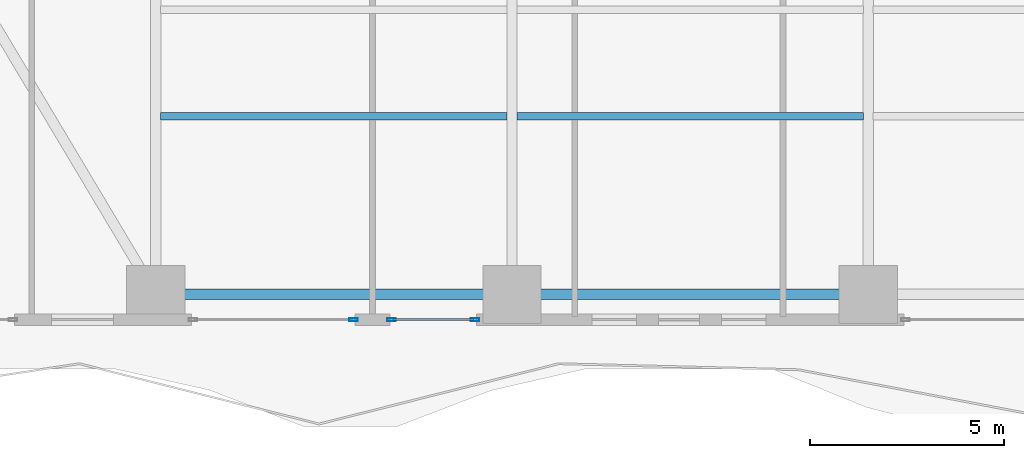
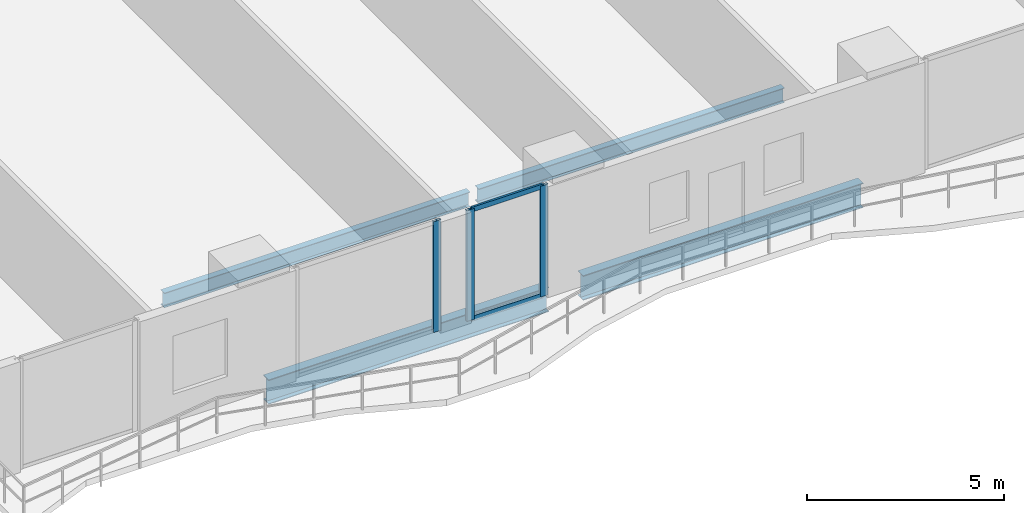
# One storey, part 4 of 29: 5 members, 4 beams, 2 elements without a shape of their own.
"""IFC4 building model written with IfcOpenShell, lengths in metres."""

import ifcopenshell
import ifcopenshell.guid

model = None  # the IFC model being written
_history = None  # IfcOwnerHistory: only IFC2X3 demands one
_inside = {}  # id of a spatial element -> (the spatial element, [elements in it])
_under = {}  # id of a project, library or spatial element -> (it, [spatial elements below it])
_declared = {}  # id of a project -> (the project, [libraries it declares])
_typed = {}  # id of a type object -> (the type object, [elements of that type])
_made_of = {}  # id of a material, layer set ... -> (it, [elements and type objects made of it])


def new_model(schema):
    """Start an empty IFC model of exactly this schema.

    Asked for "IFC4X3", IfcOpenShell would pick the latest addendum, in which some entities
    have other attributes; the version numbers below select the first issue.
    IFC2X3 requires an IfcOwnerHistory on every rooted entity: one is made here for all.
    """
    global model, _history
    if schema == "IFC4X3":
        model = ifcopenshell.file(schema_version=(4, 3, 0, 0))
    else:
        model = ifcopenshell.file(schema=schema)
    _inside.clear()
    _under.clear()
    _declared.clear()
    _typed.clear()
    _made_of.clear()
    _history = None
    if model.schema == "IFC2X3":
        org = make("IfcOrganization", Name="unknown")
        user = make(
            "IfcPersonAndOrganization",
            ThePerson=make("IfcPerson", FamilyName="unknown"),
            TheOrganization=org,
        )
        app = make(
            "IfcApplication",
            ApplicationDeveloper=org,
            Version="unknown",
            ApplicationFullName="unknown",
            ApplicationIdentifier="unknown",
        )
        _history = make(
            "IfcOwnerHistory",
            OwningUser=user,
            OwningApplication=app,
            ChangeAction="ADDED",
            CreationDate=0,
        )
    return model


def make(cls, **values):
    """One entity of the class cls with the attributes given. An attribute that is None is left unset."""
    return model.create_entity(
        cls, **{name: value for name, value in values.items() if value is not None}
    )


def rooted(cls, **values):
    """An entity with a GlobalId (a new one), such as an element, a storey or a relation."""
    return make(cls, GlobalId=ifcopenshell.guid.new(), OwnerHistory=_history, **values)


def si_unit(unit_type, name, prefix=None):
    """IfcSIUnit, for example si_unit("LENGTHUNIT", "METRE", prefix="MILLI")."""
    return make("IfcSIUnit", UnitType=unit_type, Prefix=prefix, Name=name)


def assignment(units):
    """IfcUnitAssignment: the units of a project."""
    return None if units is None else make("IfcUnitAssignment", Units=units)


def point(xyz):
    """IfcCartesianPoint."""
    return None if xyz is None else make("IfcCartesianPoint", Coordinates=xyz)


def direction(xyz):
    """IfcDirection."""
    return None if xyz is None else make("IfcDirection", DirectionRatios=xyz)


def frame(location, z_axis=None, x_axis=None):
    """IfcAxis2Placement3D, a coordinate frame: its origin and axes. An axis left out is left unset."""
    return make(
        "IfcAxis2Placement3D",
        Location=point(location),
        Axis=direction(z_axis),
        RefDirection=direction(x_axis),
    )


def frame_2d(location, x_axis=None):
    """IfcAxis2Placement2D, a coordinate frame in the plane: its origin and x axis."""
    return make(
        "IfcAxis2Placement2D", Location=point(location), RefDirection=direction(x_axis)
    )


def origin():
    """The frame at (0, 0, 0) with its axes left unset."""
    return frame((0.0, 0.0, 0.0))


def origin_2d():
    """The frame at (0, 0) in the plane with its x axis left unset."""
    return frame_2d((0.0, 0.0))


def place(relative_to, where):
    """IfcLocalPlacement: puts the frame where relative to a parent placement (None: the world)."""
    return make(
        "IfcLocalPlacement", PlacementRelTo=relative_to, RelativePlacement=where
    )


def context(
    kind, dimensions, precision=None, world=None, true_north=None, identifier=None
):
    """IfcGeometricRepresentationContext, for example the 3D "Model" context."""
    return make(
        "IfcGeometricRepresentationContext",
        ContextIdentifier=identifier,
        ContextType=kind,
        CoordinateSpaceDimension=dimensions,
        Precision=precision,
        WorldCoordinateSystem=world,
        TrueNorth=true_north,
    )


def subcontext(parent, identifier, kind, view, scale=None):
    """IfcGeometricRepresentationSubContext, for example "Body" below "Model"."""
    return make(
        "IfcGeometricRepresentationSubContext",
        ContextIdentifier=identifier,
        ContextType=kind,
        ParentContext=parent,
        TargetScale=scale,
        TargetView=view,
    )


def project(units=None, contexts=None):
    """IfcProject with its units and contexts."""
    return rooted(
        "IfcProject",
        Name="project",
        RepresentationContexts=contexts,
        UnitsInContext=assignment(units),
    )


def spatial(cls, under=None, at=None, **own):
    """A site, building, storey or space (cls), placed at a placement, below another one or the project."""
    s = rooted(cls, ObjectPlacement=at, **own)
    if under is not None:
        _under.setdefault(under.id(), (under, []))[1].append(s)
    return s


def profile(cls, at=None, kind="AREA", **sizes):
    """A parametric profile (cls). Its sizes go by their IFC names, for example OverallWidth=200.0."""
    return make(cls, ProfileType=kind, Position=at, **sizes)


def hollow_rectangle(**sizes):
    """IfcRectangleHollowProfileDef."""
    return profile("IfcRectangleHollowProfileDef", **sizes)


def i_section(**sizes):
    """IfcIShapeProfileDef."""
    return profile("IfcIShapeProfileDef", **sizes)


def extrude(swept, where, along, depth):
    """IfcExtrudedAreaSolid: the profile swept, set in the frame where, extruded along a direction by depth."""
    return make(
        "IfcExtrudedAreaSolid",
        SweptArea=swept,
        Position=where,
        ExtrudedDirection=direction(along),
        Depth=depth,
    )


def shape(context_of_items, identifier, shape_type, items):
    """IfcShapeRepresentation: the items that make up one representation, for example the "Body"."""
    return make(
        "IfcShapeRepresentation",
        ContextOfItems=context_of_items,
        RepresentationIdentifier=identifier,
        RepresentationType=shape_type,
        Items=items,
    )


def material(Name=None, Category=None):
    """IfcMaterial."""
    return make("IfcMaterial", Name=Name, Category=Category)


def layer(
    of_material, thickness, ventilated=None, Name=None, Category=None, Priority=None
):
    """IfcMaterialLayer: one layer of a wall or slab, of a material (None: an air gap)."""
    return make(
        "IfcMaterialLayer",
        Material=of_material,
        LayerThickness=thickness,
        IsVentilated=ventilated,
        Name=Name,
        Category=Category,
        Priority=Priority,
    )


def layer_set(layers, Name=None):
    """IfcMaterialLayerSet."""
    return make("IfcMaterialLayerSet", MaterialLayers=layers, LayerSetName=Name)


def material_profile(
    of_material, cross_section, Name=None, Category=None, Priority=None
):
    """IfcMaterialProfile: a cross section and its material."""
    return make(
        "IfcMaterialProfile",
        Name=Name,
        Material=of_material,
        Profile=cross_section,
        Priority=Priority,
        Category=Category,
    )


def profile_set(profiles, Name=None, composite=None):
    """IfcMaterialProfileSet."""
    return make(
        "IfcMaterialProfileSet",
        Name=Name,
        MaterialProfiles=profiles,
        CompositeProfile=composite,
    )


def made_of(thing, what):
    """Note that an element or type object is made of a material, layer set ...; save() writes the relation."""
    if what is not None:
        _made_of.setdefault(what.id(), (what, []))[1].append(thing)
    return thing


def type_object(cls, material=None, **own):
    """A type object (cls), such as IfcWallType, which elements share."""
    return made_of(rooted(cls, **own), material)


def element(
    cls,
    number,
    at=None,
    inside=None,
    cuts=None,
    type_object=None,
    material=None,
    context=None,
    identifier="Body",
    shape_type=None,
    held_by="IfcProductDefinitionShape",
    body=None,
    shapes=None,
    **own,
):
    """One element of the class cls, such as IfcWall. Its Tag is "e" and its number.

    at: its placement. inside: the storey or other place that contains it. cuts: it is an
    opening in that element (IfcRelVoidsElement). A single representation is given by context,
    identifier, shape_type and body (its items); several are given by shapes. held_by: the class
    of the entity that holds the representations. save() writes the other relations.
    """
    e = rooted(cls, Tag="e%d" % number, ObjectPlacement=at, **own)
    if body is not None:
        shapes = [shape(context, identifier, shape_type, body)]
    if shapes is not None:
        e.Representation = make(held_by, Representations=shapes)
    if inside is not None:
        _inside.setdefault(inside.id(), (inside, []))[1].append(e)
    if cuts is not None:
        rooted(
            "IfcRelVoidsElement", RelatingBuildingElement=cuts, RelatedOpeningElement=e
        )
    if type_object is not None:
        _typed.setdefault(type_object.id(), (type_object, []))[1].append(e)
    return made_of(e, material)


def aggregate(whole, parts):
    """IfcRelAggregates: a whole, such as a stair, and the parts it consists of."""
    return rooted("IfcRelAggregates", RelatingObject=whole, RelatedObjects=parts)


def save(model, path):
    """Write the relations noted so far, then the file.

    IfcRelAggregates (storeys below a building ...), IfcRelContainedInSpatialStructure (elements
    in a storey), IfcRelDefinesByType, IfcRelAssociatesMaterial and IfcRelDeclares: one each for
    every whole, place, type object, material and project.
    """
    for whole, parts in _under.values():
        aggregate(whole, parts)
    for where, things in _inside.values():
        rooted(
            "IfcRelContainedInSpatialStructure",
            RelatedElements=things,
            RelatingStructure=where,
        )
    for kind, things in _typed.values():
        rooted("IfcRelDefinesByType", RelatedObjects=things, RelatingType=kind)
    for what, things in _made_of.values():
        rooted("IfcRelAssociatesMaterial", RelatedObjects=things, RelatingMaterial=what)
    for by, libraries in _declared.values():
        rooted("IfcRelDeclares", RelatingContext=by, RelatedDefinitions=libraries)
    model.write(path)


model = new_model("IFC4")

# Units and contexts
model_context = context("Model", 3, precision=1e-05, world=origin(), true_north=direction((0.0, 1.0)))
body_context = subcontext(model_context, "Body", "Model", "MODEL_VIEW")
ifc_project = project(units=[si_unit("LENGTHUNIT", "METRE"), si_unit("AREAUNIT", "SQUARE_METRE"), si_unit("VOLUMEUNIT", "CUBIC_METRE"), si_unit("PLANEANGLEUNIT", "RADIAN"), si_unit("MASSUNIT", "GRAM", prefix="KILO")], contexts=[model_context])

# Site, building, storey
site_placement = place(None, origin())
site = spatial("IfcSite", under=ifc_project, at=site_placement, CompositionType="ELEMENT")
building_placement = place(site_placement, origin())
building = spatial("IfcBuilding", under=site, at=building_placement, Name="Zuhayl Quay Hotel", CompositionType="ELEMENT")
storey_placement = place(building_placement, frame((0.0, 0.0, 45.85009765625)))
storey = spatial("IfcBuildingStorey", under=building, at=storey_placement, Name="L10", CompositionType="ELEMENT", Elevation=45.85009765625)

# Beams
ifc_material_1 = material(Name="Steel ASTM A992 Grade 50", Category="steel")
ifc_material_profile_1 = material_profile(ifc_material_1, i_section(OverallWidth=0.26708984375, OverallDepth=0.761962890625, WebThickness=0.014404296875, FlangeThickness=0.021484375, at=origin_2d()), Name="W30X116")
ifc_profile_set_1 = profile_set([ifc_material_profile_1], Name="Steel ASTM A992 Grade 50")
beam_type_1 = type_object("IfcBeamType", Name="BM_B1_W30X116", PredefinedType="BEAM", material=ifc_profile_set_1)
beam_1_placement = place(storey_placement, frame((-13.300048828125, -22.449951171875, -0.60107421875), z_axis=(1.0, 0.0, 0.0), x_axis=(0.0, 1.0, 0.0)))
element("IfcBeam", 1, at=beam_1_placement, inside=storey, type_object=beam_type_1, Name="L10 Floor Beam RG_L10_01", PredefinedType="BEAM", context=body_context, shape_type="SweptSolid", body=[
    extrude(i_section(OverallWidth=0.26708984375, OverallDepth=0.761962890625, WebThickness=0.014404296875, FlangeThickness=0.021484375, at=origin_2d()), origin(), (0.0, 0.0, 1.0), 8.199951171875),
])
beam_2_placement = place(storey_placement, frame((-4.10009765625, -22.449951171875, -0.60107421875), z_axis=(1.0, 0.0, 0.0), x_axis=(0.0, 1.0, 0.0)))
element("IfcBeam", 2, at=beam_2_placement, inside=storey, type_object=beam_type_1, Name="L10 Floor Beam RG_L10_02", PredefinedType="BEAM", context=body_context, shape_type="SweptSolid", body=[
    extrude(i_section(OverallWidth=0.26708984375, OverallDepth=0.761962890625, WebThickness=0.014404296875, FlangeThickness=0.021484375, at=origin_2d()), origin(), (0.0, 0.0, 1.0), 8.2001953125),
])
ifc_material_profile_2 = material_profile(ifc_material_1, i_section(OverallWidth=0.18994140625, OverallDepth=0.45703125, WebThickness=0.009033203125, FlangeThickness=0.014404296875, at=origin_2d()), Name="W18X50")
ifc_profile_set_2 = profile_set([ifc_material_profile_2], Name="Steel ASTM A992 Grade 50")
beam_type_2 = type_object("IfcBeamType", Name="BM_J2_W18X50", PredefinedType="JOIST", material=ifc_profile_set_2)
beam_3_placement = place(storey_placement, frame((-13.674560546875, -17.85009765625, -0.448486328125), z_axis=(1.0, 0.0, 0.0), x_axis=(0.0, 1.0, 0.0)))
element("IfcBeam", 3, at=beam_3_placement, inside=storey, type_object=beam_type_2, Name="L10 Floor Beam FJ_L10_3_1", PredefinedType="JOIST", context=body_context, shape_type="SweptSolid", body=[
    extrude(i_section(OverallWidth=0.18994140625, OverallDepth=0.45703125, WebThickness=0.009033203125, FlangeThickness=0.014404296875, at=origin_2d()), origin(), (0.0, 0.0, 1.0), 8.948974609375),
])
beam_4_placement = place(storey_placement, frame((-4.474609375, -17.85009765625, -0.448486328125), z_axis=(1.0, 0.0, 0.0), x_axis=(0.0, 1.0, 0.0)))
element("IfcBeam", 4, at=beam_4_placement, inside=storey, type_object=beam_type_2, Name="L10 Floor Beam FJ_L10_3_2", PredefinedType="JOIST", context=body_context, shape_type="SweptSolid", body=[
    extrude(i_section(OverallWidth=0.18994140625, OverallDepth=0.45703125, WebThickness=0.009033203125, FlangeThickness=0.014404296875, at=origin_2d()), origin(), (0.0, 0.0, 1.0), 8.94921875),
])

# Curtain wall, members
ifc_material_2 = material(Name="Anodised Aluminium 6063-T6", Category="aluminium")
ifc_layer = layer(ifc_material_2, 0.18994140625, Name="Anodised Aluminium 6063-T6", Category="aluminium")
ifc_layer_set = layer_set([ifc_layer], Name="Anodised Aluminium 6063-T6")
curtain_wall_type = type_object("IfcCurtainWallType", Name="CW_SYS_Z1", PredefinedType="USERDEFINED", material=ifc_layer_set)
curtain_wall_1_placement = place(storey_placement, origin())
curtain_wall_1 = element("IfcCurtainWall", 5, at=curtain_wall_1_placement, inside=storey, type_object=curtain_wall_type, Name="L10 Curtain Wall ENV_L10_S_CW3", ObjectType="UNITISED CURTAIN WALL", PredefinedType="USERDEFINED")
ifc_material_3 = material(Name="Black-anodised aluminium 6063-T6", Category="aluminium")
ifc_material_profile_3 = material_profile(ifc_material_3, hollow_rectangle(XDim=0.074951171875, YDim=0.219970703125, WallThickness=0.00390625, at=origin_2d()), Name="ALU220X75")
ifc_profile_set_3 = profile_set([ifc_material_profile_3], Name="Black-anodised aluminium 6063-T6")
member_type_1 = type_object("IfcMemberType", Name="MB_CW_MUL_220", PredefinedType="MULLION", material=ifc_profile_set_3)
member_1_placement = place(storey_placement, frame((-5.5576171875, -23.10009765625, 0.0), z_axis=(0.0, 0.0, 1.0), x_axis=(0.0, -1.0, 0.0)))
member_1 = element("IfcMember", 6, at=member_1_placement, type_object=member_type_1, Name="CW-Z1 mullion 1", PredefinedType="MULLION", context=body_context, shape_type="SweptSolid", body=[
    extrude(hollow_rectangle(XDim=0.074951171875, YDim=0.219970703125, WallThickness=0.00390625, at=origin_2d()), origin(), (0.0, 0.0, 1.0), 3.429931640625),
])
member_2_placement = place(storey_placement, frame((-7.71240234375, -23.10009765625, 0.0), z_axis=(0.0, 0.0, 1.0), x_axis=(0.0, -1.0, 0.0)))
member_2 = element("IfcMember", 7, at=member_2_placement, type_object=member_type_1, Name="CW-Z1 mullion 2", PredefinedType="MULLION", context=body_context, shape_type="SweptSolid", body=[
    extrude(hollow_rectangle(XDim=0.074951171875, YDim=0.219970703125, WallThickness=0.00390625, at=origin_2d()), origin(), (0.0, 0.0, 1.0), 3.429931640625),
])

# Curtain wall, member
curtain_wall_2_placement = place(storey_placement, origin())
curtain_wall_2 = element("IfcCurtainWall", 8, at=curtain_wall_2_placement, inside=storey, type_object=curtain_wall_type, Name="L10 Curtain Wall ENV_L10_S_CW4", ObjectType="UNITISED CURTAIN WALL", PredefinedType="USERDEFINED")
member_3_placement = place(storey_placement, frame((-8.6875, -23.10009765625, 0.0), z_axis=(0.0, 0.0, 1.0), x_axis=(0.0, -1.0, 0.0)))
member_3 = element("IfcMember", 9, at=member_3_placement, type_object=member_type_1, Name="CW-Z1 mullion 1", PredefinedType="MULLION", context=body_context, shape_type="SweptSolid", body=[
    extrude(hollow_rectangle(XDim=0.074951171875, YDim=0.219970703125, WallThickness=0.00390625, at=origin_2d()), origin(), (0.0, 0.0, 1.0), 3.429931640625),
])
aggregate(curtain_wall_2, [member_3])

# Member
ifc_material_profile_4 = material_profile(ifc_material_3, hollow_rectangle(XDim=0.06005859375, YDim=0.14990234375, WallThickness=0.00341796875, at=origin_2d()), Name="ALU150X60")
ifc_profile_set_4 = profile_set([ifc_material_profile_4], Name="Black-anodised aluminium 6063-T6")
member_type_2 = type_object("IfcMemberType", Name="MB_CW_TRN_150", PredefinedType="USERDEFINED", material=ifc_profile_set_4)
member_4_placement = place(storey_placement, frame((-5.594970703125, -23.10009765625, 0.02978515625), z_axis=(-1.0, 0.0, 0.0), x_axis=(0.0, -1.0, 0.0)))
member_4 = element("IfcMember", 10, at=member_4_placement, type_object=member_type_2, Name="CW-Z1 transom 1.1", ObjectType="TRANSOM", PredefinedType="USERDEFINED", context=body_context, shape_type="SweptSolid", body=[
    extrude(hollow_rectangle(XDim=0.06005859375, YDim=0.14990234375, WallThickness=0.00341796875, at=origin_2d()), origin(), (0.0, 0.0, 1.0), 2.080078125),
])

member_5_placement = place(storey_placement, frame((-5.594970703125, -23.10009765625, 3.39990234375), z_axis=(-1.0, 0.0, 0.0), x_axis=(0.0, -1.0, 0.0)))
member_5 = element("IfcMember", 11, at=member_5_placement, type_object=member_type_2, Name="CW-Z1 transom 1.2", ObjectType="TRANSOM", PredefinedType="USERDEFINED", context=body_context, shape_type="SweptSolid", body=[
    extrude(hollow_rectangle(XDim=0.06005859375, YDim=0.14990234375, WallThickness=0.00341796875, at=origin_2d()), origin(), (0.0, 0.0, 1.0), 2.080078125),
])

aggregate(curtain_wall_1, [member_1, member_2, member_4, member_5])

save(model, "model.ifc")
